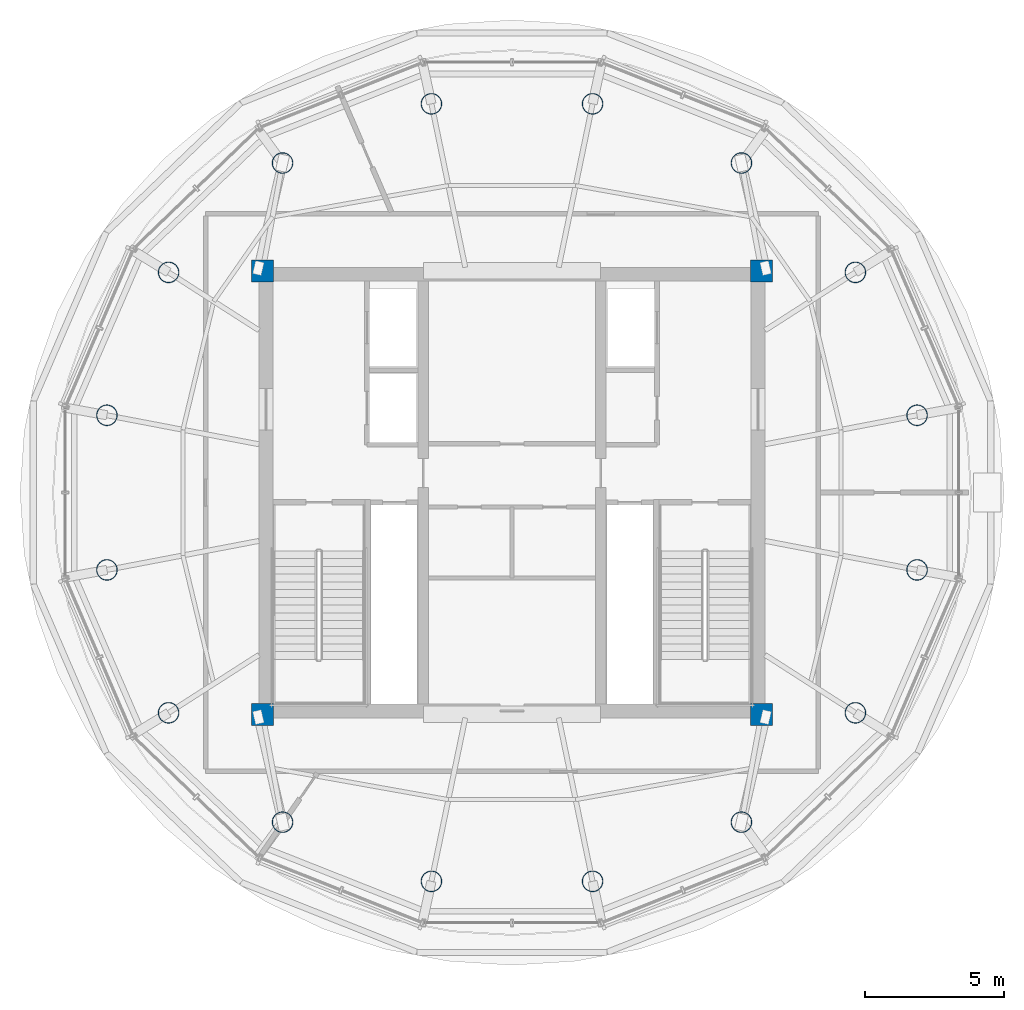
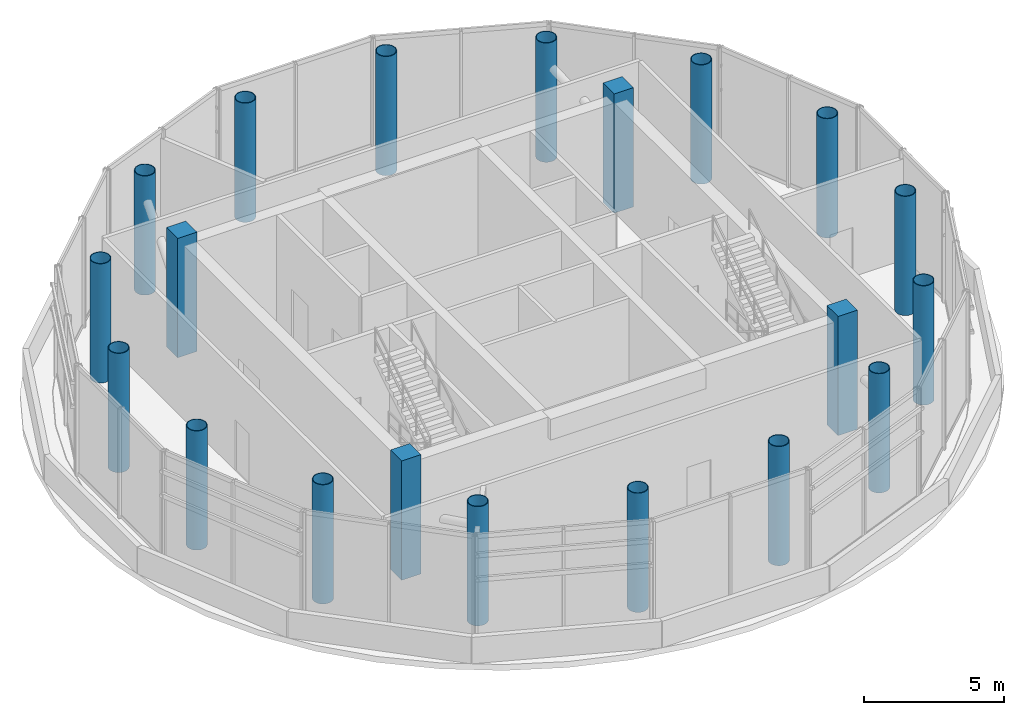
# One storey, part 1 of 14: 20 columns.
"""IFC4 building model written with IfcOpenShell, lengths in metres."""

from ifc_helpers import new_model, si_unit, direction, frame, origin, origin_2d, place, context, subcontext, project, spatial, rectangle, hollow_circle, extrude, material, material_profile, profile_set, type_object, element, save


model = new_model("IFC4")

# Units and contexts
model_context = context("Model", 3, precision=1e-05, world=origin(), true_north=direction((-0.2419218956, 0.970295726276)))
body_context = subcontext(model_context, "Body", "Model", "MODEL_VIEW")
ifc_project = project(units=[si_unit("LENGTHUNIT", "METRE"), si_unit("AREAUNIT", "SQUARE_METRE"), si_unit("VOLUMEUNIT", "CUBIC_METRE"), si_unit("PLANEANGLEUNIT", "RADIAN"), si_unit("MASSUNIT", "GRAM", prefix="KILO")], contexts=[model_context])

# Site, building, storey
site_placement = place(None, origin())
site = spatial("IfcSite", under=ifc_project, at=site_placement, CompositionType="ELEMENT")
building_placement = place(site_placement, origin())
building = spatial("IfcBuilding", under=site, at=building_placement, Name="Cobrevalo Terracotta Tower", CompositionType="ELEMENT")
storey_placement = place(building_placement, frame((0.0, 0.0, 321.699951171875)))
storey = spatial("IfcBuildingStorey", under=building, at=storey_placement, Name="L83", CompositionType="ELEMENT", Elevation=321.699951171875)

# Columns
ifc_material_1 = material(Name="Steel S355", Category="steel")
ifc_material_profile_1 = material_profile(ifc_material_1, hollow_circle(Radius=0.381103515625, WallThickness=0.028076171875, at=origin_2d()), Name="CHS 762x28")
ifc_profile_set_1 = profile_set([ifc_material_profile_1], Name="Steel S355")
column_type_1 = type_object("IfcColumnType", Name="Structural Column CHS 762x28 (Steel S355)", PredefinedType="COLUMN", material=ifc_profile_set_1)
for number, where, z_axis, x_axis, name in (
    (1, (52.61376953125, 29.58984375, 0.0), (0.0, 0.0, 1.0), (1.0, 0.0, 0.0), "L83 composite megacolumn MC01"),
    (2, (50.388916015625, 34.74462890625, 0.0), (0.0, 0.0, 1.0), (1.0, 0.0, 0.0), "L83 composite megacolumn MC02"),
    (3, (46.278076171875, 38.68994140625, 0.0), (0.0, 0.0, 1.0), (1.0, 0.0, 0.0), "L83 composite megacolumn MC03"),
    (4, (40.90673828125, 40.8251953125, 0.0), (0.0, 0.0, 1.0), (1.0, 0.0, 0.0), "L83 composite megacolumn MC04"),
    (5, (35.09326171875, 40.8251953125, 0.0), (0.0, 0.0, 1.0), (1.0, 0.0, 0.0), "L83 composite megacolumn MC05"),
    (6, (29.721923828125, 38.68994140625, 0.0), (0.0, 0.0, 1.0), (1.0, 0.0, 0.0), "L83 composite megacolumn MC06"),
    (7, (25.611083984375, 34.74462890625, 0.0), (0.0, 0.0, 1.0), (1.0, 0.0, 0.0), "L83 composite megacolumn MC07"),
    (8, (23.38623046875, 29.58984375, 0.0), (0.0, 0.0, 1.0), (1.0, 0.0, 0.0), "L83 composite megacolumn MC08"),
    (9, (23.38623046875, 24.01025390625, 0.0), (0.0, 0.0, 1.0), (1.0, 0.0, 0.0), "L83 composite megacolumn MC09"),
    (10, (25.611083984375, 18.855224609375, 0.0), (0.0, 0.0, 1.0), (1.0, 0.0, 0.0), "L83 composite megacolumn MC10"),
    (11, (29.721923828125, 14.909912109375, 0.0), (0.0, 0.0, 1.0), (1.0, 0.0, 0.0), "L83 composite megacolumn MC11"),
    (12, (35.09326171875, 12.774658203125, 0.0), (0.0, 0.0, 1.0), (1.0, 0.0, 0.0), "L83 composite megacolumn MC12"),
    (13, (40.90673828125, 12.774658203125, 0.0), (0.0, 0.0, 1.0), (1.0, 0.0, 0.0), "L83 composite megacolumn MC13"),
    (14, (46.278076171875, 14.909912109375, 0.0), (0.0, 0.0, 1.0), (1.0, 0.0, 0.0), "L83 composite megacolumn MC14"),
    (15, (50.388916015625, 18.855224609375, 0.0), (0.0, 0.0, 1.0), (1.0, 0.0, 0.0), "L83 composite megacolumn MC15"),
    (16, (52.61376953125, 24.01025390625, 0.0), (0.0, 0.0, 1.0), (1.0, 0.0, 0.0), "L83 composite megacolumn MC16"),
):
    element("IfcColumn", number, at=place(storey_placement, frame(where, z_axis=z_axis, x_axis=x_axis)), inside=storey, type_object=column_type_1, Name=name, PredefinedType="COLUMN", context=body_context, shape_type="SweptSolid", body=[
        extrude(hollow_circle(Radius=0.381103515625, WallThickness=0.028076171875, at=origin_2d()), origin(), (0.0, 0.0, 1.0), 5.199951171875),
    ])
ifc_material_2 = material(Name="Concrete C50", Category="concrete")
ifc_material_profile_2 = material_profile(ifc_material_2, rectangle(XDim=0.800048828125, YDim=0.800048828125, at=origin_2d()), Name="RC COL 800x800")
ifc_profile_set_2 = profile_set([ifc_material_profile_2], Name="Concrete C50")
column_type_2 = type_object("IfcColumnType", Name="Structural Column RC COL 800x800 (Concrete C50)", PredefinedType="COLUMN", material=ifc_profile_set_2)
for number, where, z_axis, x_axis, name in (
    (17, (29.0, 18.800048828125, 0.0), (0.0, 0.0, 1.0), (1.0, 0.0, 0.0), "L83 core corner column CC1"),
    (18, (47.0, 18.800048828125, 0.0), (0.0, 0.0, 1.0), (1.0, 0.0, 0.0), "L83 core corner column CC2"),
    (19, (47.0, 34.800048828125, 0.0), (0.0, 0.0, 1.0), (1.0, 0.0, 0.0), "L83 core corner column CC3"),
    (20, (29.0, 34.800048828125, 0.0), (0.0, 0.0, 1.0), (1.0, 0.0, 0.0), "L83 core corner column CC4"),
):
    element("IfcColumn", number, at=place(storey_placement, frame(where, z_axis=z_axis, x_axis=x_axis)), inside=storey, type_object=column_type_2, Name=name, PredefinedType="COLUMN", context=body_context, shape_type="SweptSolid", body=[
        extrude(rectangle(XDim=0.800048828125, YDim=0.800048828125, at=origin_2d()), origin(), (0.0, 0.0, 1.0), 5.199951171875),
    ])

save(model, "model.ifc")
